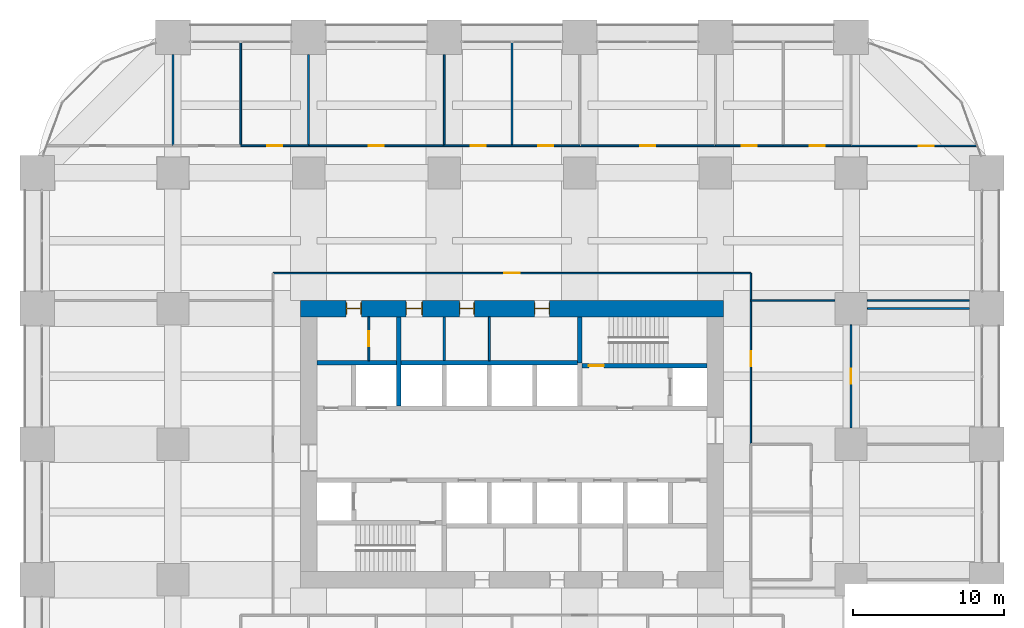
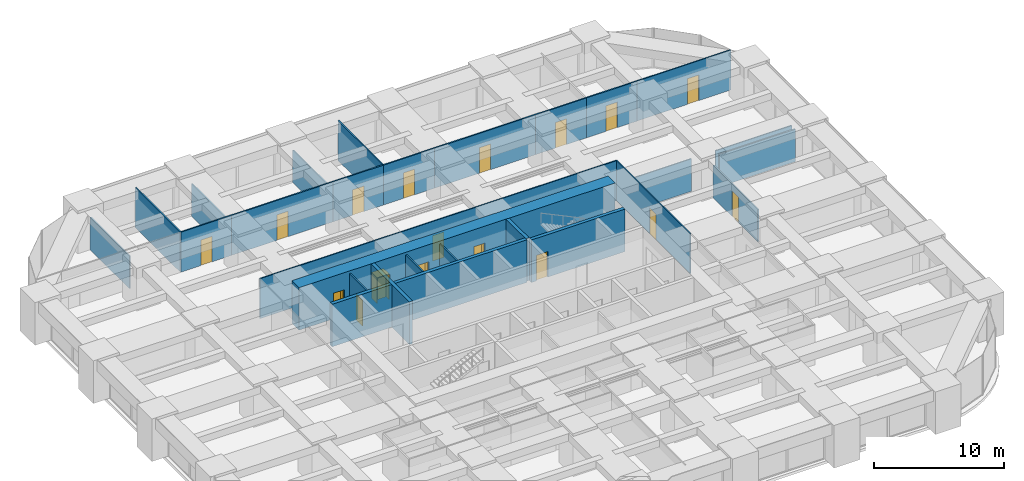
# One storey, part 41 of 43: 27 walls, 17 doors, 17 openings.
"""IFC4 building model written with IfcOpenShell, lengths in metres."""

import ifcopenshell
import ifcopenshell.guid

model = None  # the IFC model being written
_history = None  # IfcOwnerHistory: only IFC2X3 demands one
_inside = {}  # id of a spatial element -> (the spatial element, [elements in it])
_under = {}  # id of a project, library or spatial element -> (it, [spatial elements below it])
_declared = {}  # id of a project -> (the project, [libraries it declares])
_typed = {}  # id of a type object -> (the type object, [elements of that type])
_made_of = {}  # id of a material, layer set ... -> (it, [elements and type objects made of it])


def new_model(schema):
    """Start an empty IFC model of exactly this schema.

    Asked for "IFC4X3", IfcOpenShell would pick the latest addendum, in which some entities
    have other attributes; the version numbers below select the first issue.
    IFC2X3 requires an IfcOwnerHistory on every rooted entity: one is made here for all.
    """
    global model, _history
    if schema == "IFC4X3":
        model = ifcopenshell.file(schema_version=(4, 3, 0, 0))
    else:
        model = ifcopenshell.file(schema=schema)
    _inside.clear()
    _under.clear()
    _declared.clear()
    _typed.clear()
    _made_of.clear()
    _history = None
    if model.schema == "IFC2X3":
        org = make("IfcOrganization", Name="unknown")
        user = make(
            "IfcPersonAndOrganization",
            ThePerson=make("IfcPerson", FamilyName="unknown"),
            TheOrganization=org,
        )
        app = make(
            "IfcApplication",
            ApplicationDeveloper=org,
            Version="unknown",
            ApplicationFullName="unknown",
            ApplicationIdentifier="unknown",
        )
        _history = make(
            "IfcOwnerHistory",
            OwningUser=user,
            OwningApplication=app,
            ChangeAction="ADDED",
            CreationDate=0,
        )
    return model


def make(cls, **values):
    """One entity of the class cls with the attributes given. An attribute that is None is left unset."""
    return model.create_entity(
        cls, **{name: value for name, value in values.items() if value is not None}
    )


def rooted(cls, **values):
    """An entity with a GlobalId (a new one), such as an element, a storey or a relation."""
    return make(cls, GlobalId=ifcopenshell.guid.new(), OwnerHistory=_history, **values)


def si_unit(unit_type, name, prefix=None):
    """IfcSIUnit, for example si_unit("LENGTHUNIT", "METRE", prefix="MILLI")."""
    return make("IfcSIUnit", UnitType=unit_type, Prefix=prefix, Name=name)


def assignment(units):
    """IfcUnitAssignment: the units of a project."""
    return None if units is None else make("IfcUnitAssignment", Units=units)


def point(xyz):
    """IfcCartesianPoint."""
    return None if xyz is None else make("IfcCartesianPoint", Coordinates=xyz)


def direction(xyz):
    """IfcDirection."""
    return None if xyz is None else make("IfcDirection", DirectionRatios=xyz)


def frame(location, z_axis=None, x_axis=None):
    """IfcAxis2Placement3D, a coordinate frame: its origin and axes. An axis left out is left unset."""
    return make(
        "IfcAxis2Placement3D",
        Location=point(location),
        Axis=direction(z_axis),
        RefDirection=direction(x_axis),
    )


def frame_2d(location, x_axis=None):
    """IfcAxis2Placement2D, a coordinate frame in the plane: its origin and x axis."""
    return make(
        "IfcAxis2Placement2D", Location=point(location), RefDirection=direction(x_axis)
    )


def origin():
    """The frame at (0, 0, 0) with its axes left unset."""
    return frame((0.0, 0.0, 0.0))


def place(relative_to, where):
    """IfcLocalPlacement: puts the frame where relative to a parent placement (None: the world)."""
    return make(
        "IfcLocalPlacement", PlacementRelTo=relative_to, RelativePlacement=where
    )


def context(
    kind, dimensions, precision=None, world=None, true_north=None, identifier=None
):
    """IfcGeometricRepresentationContext, for example the 3D "Model" context."""
    return make(
        "IfcGeometricRepresentationContext",
        ContextIdentifier=identifier,
        ContextType=kind,
        CoordinateSpaceDimension=dimensions,
        Precision=precision,
        WorldCoordinateSystem=world,
        TrueNorth=true_north,
    )


def subcontext(parent, identifier, kind, view, scale=None):
    """IfcGeometricRepresentationSubContext, for example "Body" below "Model"."""
    return make(
        "IfcGeometricRepresentationSubContext",
        ContextIdentifier=identifier,
        ContextType=kind,
        ParentContext=parent,
        TargetScale=scale,
        TargetView=view,
    )


def project(units=None, contexts=None):
    """IfcProject with its units and contexts."""
    return rooted(
        "IfcProject",
        Name="project",
        RepresentationContexts=contexts,
        UnitsInContext=assignment(units),
    )


def spatial(cls, under=None, at=None, **own):
    """A site, building, storey or space (cls), placed at a placement, below another one or the project."""
    s = rooted(cls, ObjectPlacement=at, **own)
    if under is not None:
        _under.setdefault(under.id(), (under, []))[1].append(s)
    return s


def profile(cls, at=None, kind="AREA", **sizes):
    """A parametric profile (cls). Its sizes go by their IFC names, for example OverallWidth=200.0."""
    return make(cls, ProfileType=kind, Position=at, **sizes)


def rectangle(**sizes):
    """IfcRectangleProfileDef."""
    return profile("IfcRectangleProfileDef", **sizes)


def extrude(swept, where, along, depth):
    """IfcExtrudedAreaSolid: the profile swept, set in the frame where, extruded along a direction by depth."""
    return make(
        "IfcExtrudedAreaSolid",
        SweptArea=swept,
        Position=where,
        ExtrudedDirection=direction(along),
        Depth=depth,
    )


def shape(context_of_items, identifier, shape_type, items):
    """IfcShapeRepresentation: the items that make up one representation, for example the "Body"."""
    return make(
        "IfcShapeRepresentation",
        ContextOfItems=context_of_items,
        RepresentationIdentifier=identifier,
        RepresentationType=shape_type,
        Items=items,
    )


def material(Name=None, Category=None):
    """IfcMaterial."""
    return make("IfcMaterial", Name=Name, Category=Category)


def layer(
    of_material, thickness, ventilated=None, Name=None, Category=None, Priority=None
):
    """IfcMaterialLayer: one layer of a wall or slab, of a material (None: an air gap)."""
    return make(
        "IfcMaterialLayer",
        Material=of_material,
        LayerThickness=thickness,
        IsVentilated=ventilated,
        Name=Name,
        Category=Category,
        Priority=Priority,
    )


def layer_set(layers, Name=None):
    """IfcMaterialLayerSet."""
    return make("IfcMaterialLayerSet", MaterialLayers=layers, LayerSetName=Name)


def made_of(thing, what):
    """Note that an element or type object is made of a material, layer set ...; save() writes the relation."""
    if what is not None:
        _made_of.setdefault(what.id(), (what, []))[1].append(thing)
    return thing


def type_object(cls, material=None, **own):
    """A type object (cls), such as IfcWallType, which elements share."""
    return made_of(rooted(cls, **own), material)


def element(
    cls,
    number,
    at=None,
    inside=None,
    cuts=None,
    type_object=None,
    material=None,
    context=None,
    identifier="Body",
    shape_type=None,
    held_by="IfcProductDefinitionShape",
    body=None,
    shapes=None,
    **own,
):
    """One element of the class cls, such as IfcWall. Its Tag is "e" and its number.

    at: its placement. inside: the storey or other place that contains it. cuts: it is an
    opening in that element (IfcRelVoidsElement). A single representation is given by context,
    identifier, shape_type and body (its items); several are given by shapes. held_by: the class
    of the entity that holds the representations. save() writes the other relations.
    """
    e = rooted(cls, Tag="e%d" % number, ObjectPlacement=at, **own)
    if body is not None:
        shapes = [shape(context, identifier, shape_type, body)]
    if shapes is not None:
        e.Representation = make(held_by, Representations=shapes)
    if inside is not None:
        _inside.setdefault(inside.id(), (inside, []))[1].append(e)
    if cuts is not None:
        rooted(
            "IfcRelVoidsElement", RelatingBuildingElement=cuts, RelatedOpeningElement=e
        )
    if type_object is not None:
        _typed.setdefault(type_object.id(), (type_object, []))[1].append(e)
    return made_of(e, material)


def fill(opening, filler):
    """IfcRelFillsElement: the door or window that sits in an opening."""
    return rooted(
        "IfcRelFillsElement",
        RelatingOpeningElement=opening,
        RelatedBuildingElement=filler,
    )


def aggregate(whole, parts):
    """IfcRelAggregates: a whole, such as a stair, and the parts it consists of."""
    return rooted("IfcRelAggregates", RelatingObject=whole, RelatedObjects=parts)


def save(model, path):
    """Write the relations noted so far, then the file.

    IfcRelAggregates (storeys below a building ...), IfcRelContainedInSpatialStructure (elements
    in a storey), IfcRelDefinesByType, IfcRelAssociatesMaterial and IfcRelDeclares: one each for
    every whole, place, type object, material and project.
    """
    for whole, parts in _under.values():
        aggregate(whole, parts)
    for where, things in _inside.values():
        rooted(
            "IfcRelContainedInSpatialStructure",
            RelatedElements=things,
            RelatingStructure=where,
        )
    for kind, things in _typed.values():
        rooted("IfcRelDefinesByType", RelatedObjects=things, RelatingType=kind)
    for what, things in _made_of.values():
        rooted("IfcRelAssociatesMaterial", RelatedObjects=things, RelatingMaterial=what)
    for by, libraries in _declared.values():
        rooted("IfcRelDeclares", RelatingContext=by, RelatedDefinitions=libraries)
    model.write(path)


model = new_model("IFC4")

# Units and contexts
model_context = context("Model", 3, precision=1e-05, world=origin(), true_north=direction((0.0, 1.0)))
body_context = subcontext(model_context, "Body", "Model", "MODEL_VIEW")
ifc_project = project(units=[si_unit("LENGTHUNIT", "METRE"), si_unit("AREAUNIT", "SQUARE_METRE"), si_unit("VOLUMEUNIT", "CUBIC_METRE"), si_unit("PLANEANGLEUNIT", "RADIAN"), si_unit("MASSUNIT", "GRAM", prefix="KILO")], contexts=[model_context])

# Site, building, storey
site_placement = place(None, origin())
site = spatial("IfcSite", under=ifc_project, at=site_placement, CompositionType="ELEMENT")
building_placement = place(site_placement, origin())
building = spatial("IfcBuilding", under=site, at=building_placement, Name="Zorevar Civic Tower", CompositionType="ELEMENT")
storey_placement = place(building_placement, frame((0.0, 0.0, 67.800048828125)))
storey = spatial("IfcBuildingStorey", under=building, at=storey_placement, Name="L16", CompositionType="ELEMENT", Elevation=67.800048828125)

# Wall, openings, doors
ifc_material_1 = material(Name="Concrete C50/60", Category="concrete")
ifc_layer_1 = layer(ifc_material_1, 1.10009765625)
ifc_layer_set_1 = layer_set([ifc_layer_1], Name="Core wall 1100")
wall_type_1 = type_object("IfcWallType", Name="Core wall 1100", PredefinedType="SHEAR", material=ifc_layer_set_1)
wall_1_placement = place(storey_placement, frame((45.550048828125, 36.0, 0.0), z_axis=(0.0, 0.0, 1.0), x_axis=(-1.0, 0.0, 0.0)))
wall_1 = element("IfcWall", 1, at=wall_1_placement, inside=storey, type_object=wall_type_1, Name="Core wall N L16", PredefinedType="SHEAR", context=body_context, shape_type="SweptSolid", body=[
    extrude(rectangle(XDim=28.10009765625, YDim=1.10009765625, at=frame_2d((14.050048828125, 0.0))), origin(), (0.0, 0.0, 1.0), 4.0),
])
opening_1_placement = place(wall_1_placement, frame((11.550048828125, 0.0, 0.0)))
opening_1 = element("IfcOpeningElement", 2, at=opening_1_placement, cuts=wall_1, Name="Opening L16.07", PredefinedType="OPENING", context=body_context, shape_type="SweptSolid", body=[
    extrude(rectangle(XDim=1.0, YDim=2.39990234375, at=frame_2d((0.5, 1.199951171875))), frame((0.0, 0.56005859375, 0.0), z_axis=(0.0, -1.0, 0.0), x_axis=(1.0, 0.0, 0.0)), (0.0, 0.0, 1.0), 1.1201171875),
])
opening_2_placement = place(wall_1_placement, frame((16.550048828125, 0.0, 0.0)))
opening_2 = element("IfcOpeningElement", 3, at=opening_2_placement, cuts=wall_1, Name="Opening L16.08", PredefinedType="OPENING", context=body_context, shape_type="SweptSolid", body=[
    extrude(rectangle(XDim=1.0, YDim=2.39990234375, at=frame_2d((0.5, 1.199951171875))), frame((0.0, 0.56005859375, 0.0), z_axis=(0.0, -1.0, 0.0), x_axis=(1.0, 0.0, 0.0)), (0.0, 0.0, 1.0), 1.1201171875),
])
opening_3_placement = place(wall_1_placement, frame((20.0, 0.0, 0.0)))
opening_3 = element("IfcOpeningElement", 4, at=opening_3_placement, cuts=wall_1, Name="Opening L16.09", PredefinedType="OPENING", context=body_context, shape_type="SweptSolid", body=[
    extrude(rectangle(XDim=1.10009765625, YDim=2.39990234375, at=frame_2d((0.550048828125, 1.199951171875))), frame((0.0, 0.56005859375, 0.0), z_axis=(0.0, -1.0, 0.0), x_axis=(1.0, 0.0, 0.0)), (0.0, 0.0, 1.0), 1.1201171875),
])
opening_4_placement = place(wall_1_placement, frame((24.050048828125, 0.0, 0.0)))
opening_4 = element("IfcOpeningElement", 5, at=opening_4_placement, cuts=wall_1, Name="Opening L16.10", PredefinedType="OPENING", context=body_context, shape_type="SweptSolid", body=[
    extrude(rectangle(XDim=1.0, YDim=2.39990234375, at=frame_2d((0.5, 1.199951171875))), frame((0.0, 0.56005859375, 0.0), z_axis=(0.0, -1.0, 0.0), x_axis=(1.0, 0.0, 0.0)), (0.0, 0.0, 1.0), 1.1201171875),
])
ifc_material_2 = material(Name="Timber door set", Category="wood")
door_type_1 = type_object("IfcDoorType", Name="Door D1 1000x2400", OperationType="SINGLE_SWING_LEFT", PredefinedType="DOOR", material=ifc_material_2)
door_1_placement = place(opening_1_placement, origin())
door_1 = element("IfcDoor", 6, at=door_1_placement, inside=storey, type_object=door_type_1, Name="Door L16 06", OperationType="SINGLE_SWING_RIGHT", OverallHeight=2.39990234375, OverallWidth=1.0, PredefinedType="DOOR", context=body_context, shape_type="SweptSolid", body=[
    extrude(rectangle(XDim=1.0, YDim=2.39990234375, at=frame_2d((0.5, 1.199951171875))), frame((0.0, 0.02490234375, 0.0), z_axis=(0.0, -1.0, 0.0), x_axis=(1.0, 0.0, 0.0)), (0.0, 0.0, 1.0), 0.050048828125),
    extrude(rectangle(XDim=0.04, YDim=2.39990234375, at=frame_2d((0.02001953125, 1.199951171875))), frame((0.0, 0.39990234375, 0.0), z_axis=(0.0, -1.0, 0.0), x_axis=(1.0, 0.0, 0.0)), (0.0, 0.0, 1.0), 0.800048828125),
    extrude(rectangle(XDim=0.04, YDim=2.39990234375, at=frame_2d((0.97998046875, 1.199951171875))), frame((0.0, 0.39990234375, 0.0), z_axis=(0.0, -1.0, 0.0), x_axis=(1.0, 0.0, 0.0)), (0.0, 0.0, 1.0), 0.800048828125),
    extrude(rectangle(XDim=1.0, YDim=0.04, at=frame_2d((0.5, 2.3798828125))), frame((0.0, 0.39990234375, 0.0), z_axis=(0.0, -1.0, 0.0), x_axis=(1.0, 0.0, 0.0)), (0.0, 0.0, 1.0), 0.800048828125),
])
fill(opening_1, door_1)
door_2_placement = place(opening_2_placement, origin())
door_2 = element("IfcDoor", 7, at=door_2_placement, inside=storey, type_object=door_type_1, Name="Door L16 07", OperationType="SINGLE_SWING_LEFT", OverallHeight=2.39990234375, OverallWidth=1.0, PredefinedType="DOOR", context=body_context, shape_type="SweptSolid", body=[
    extrude(rectangle(XDim=1.0, YDim=2.39990234375, at=frame_2d((0.5, 1.199951171875))), frame((0.0, 0.02490234375, 0.0), z_axis=(0.0, -1.0, 0.0), x_axis=(1.0, 0.0, 0.0)), (0.0, 0.0, 1.0), 0.050048828125),
    extrude(rectangle(XDim=0.04, YDim=2.39990234375, at=frame_2d((0.02001953125, 1.199951171875))), frame((0.0, 0.39990234375, 0.0), z_axis=(0.0, -1.0, 0.0), x_axis=(1.0, 0.0, 0.0)), (0.0, 0.0, 1.0), 0.800048828125),
    extrude(rectangle(XDim=0.04, YDim=2.39990234375, at=frame_2d((0.97998046875, 1.199951171875))), frame((0.0, 0.39990234375, 0.0), z_axis=(0.0, -1.0, 0.0), x_axis=(1.0, 0.0, 0.0)), (0.0, 0.0, 1.0), 0.800048828125),
    extrude(rectangle(XDim=1.0, YDim=0.04, at=frame_2d((0.5, 2.3798828125))), frame((0.0, 0.39990234375, 0.0), z_axis=(0.0, -1.0, 0.0), x_axis=(1.0, 0.0, 0.0)), (0.0, 0.0, 1.0), 0.800048828125),
])
fill(opening_2, door_2)
door_3_placement = place(opening_4_placement, origin())
door_3 = element("IfcDoor", 8, at=door_3_placement, inside=storey, type_object=door_type_1, Name="Door L16 09", OperationType="SINGLE_SWING_LEFT", OverallHeight=2.39990234375, OverallWidth=1.0, PredefinedType="DOOR", context=body_context, shape_type="SweptSolid", body=[
    extrude(rectangle(XDim=1.0, YDim=2.39990234375, at=frame_2d((0.5, 1.199951171875))), frame((0.0, 0.02490234375, 0.0), z_axis=(0.0, -1.0, 0.0), x_axis=(1.0, 0.0, 0.0)), (0.0, 0.0, 1.0), 0.050048828125),
    extrude(rectangle(XDim=0.04, YDim=2.39990234375, at=frame_2d((0.02001953125, 1.199951171875))), frame((0.0, 0.39990234375, 0.0), z_axis=(0.0, -1.0, 0.0), x_axis=(1.0, 0.0, 0.0)), (0.0, 0.0, 1.0), 0.800048828125),
    extrude(rectangle(XDim=0.04, YDim=2.39990234375, at=frame_2d((0.97998046875, 1.199951171875))), frame((0.0, 0.39990234375, 0.0), z_axis=(0.0, -1.0, 0.0), x_axis=(1.0, 0.0, 0.0)), (0.0, 0.0, 1.0), 0.800048828125),
    extrude(rectangle(XDim=1.0, YDim=0.04, at=frame_2d((0.5, 2.3798828125))), frame((0.0, 0.39990234375, 0.0), z_axis=(0.0, -1.0, 0.0), x_axis=(1.0, 0.0, 0.0)), (0.0, 0.0, 1.0), 0.800048828125),
])
fill(opening_4, door_3)
ifc_material_3 = material(Name="Timber door set", Category="wood")
door_type_2 = type_object("IfcDoorType", Name="Door D5 1100x2400", OperationType="SINGLE_SWING_LEFT", PredefinedType="DOOR", material=ifc_material_3)
door_4_placement = place(opening_3_placement, origin())
door_4 = element("IfcDoor", 9, at=door_4_placement, inside=storey, type_object=door_type_2, Name="Door L16 08", OperationType="SINGLE_SWING_LEFT", OverallHeight=2.39990234375, OverallWidth=1.10009765625, PredefinedType="DOOR", context=body_context, shape_type="SweptSolid", body=[
    extrude(rectangle(XDim=1.10009765625, YDim=2.39990234375, at=frame_2d((0.550048828125, 1.199951171875))), frame((0.0, 0.02490234375, 0.0), z_axis=(0.0, -1.0, 0.0), x_axis=(1.0, 0.0, 0.0)), (0.0, 0.0, 1.0), 0.050048828125),
    extrude(rectangle(XDim=0.04, YDim=2.39990234375, at=frame_2d((0.02001953125, 1.199951171875))), frame((0.0, 0.43994140625, 0.0), z_axis=(0.0, -1.0, 0.0), x_axis=(1.0, 0.0, 0.0)), (0.0, 0.0, 1.0), 0.880126953125),
    extrude(rectangle(XDim=0.04, YDim=2.39990234375, at=frame_2d((1.080078125, 1.199951171875))), frame((0.0, 0.43994140625, 0.0), z_axis=(0.0, -1.0, 0.0), x_axis=(1.0, 0.0, 0.0)), (0.0, 0.0, 1.0), 0.880126953125),
    extrude(rectangle(XDim=1.10009765625, YDim=0.04, at=frame_2d((0.550048828125, 2.3798828125))), frame((0.0, 0.43994140625, 0.0), z_axis=(0.0, -1.0, 0.0), x_axis=(1.0, 0.0, 0.0)), (0.0, 0.0, 1.0), 0.880126953125),
])
fill(opening_3, door_4)

# Walls
ifc_material_4 = material(Name="Laminated glass in black aluminium frame", Category="aluminium")
ifc_layer_2 = layer(ifc_material_4, 0.10009765625)
ifc_layer_set_2 = layer_set([ifc_layer_2], Name="Glazed partition 100")
wall_type_2 = type_object("IfcWallType", Name="Glazed partition 100", PredefinedType="PARTITIONING", material=ifc_layer_set_2)
wall_2_placement = place(storey_placement, frame((47.35009765625, 36.550048828125, 0.0), z_axis=(0.0, 0.0, 1.0), x_axis=(1.0, 0.0, 0.0)))
element("IfcWall", 10, at=wall_2_placement, inside=storey, type_object=wall_type_2, Name="Glazed partition 100 L16", PredefinedType="PARTITIONING", context=body_context, shape_type="SweptSolid", body=[
    extrude(rectangle(XDim=5.574951171875, YDim=0.10009765625, at=frame_2d((2.78759765625, 0.0))), origin(), (0.0, 0.0, 1.0), 3.050048828125),
])
wall_3_placement = place(storey_placement, frame((55.074951171875, 36.550048828125, 0.0), z_axis=(0.0, 0.0, 1.0), x_axis=(1.0, 0.0, 0.0)))
element("IfcWall", 11, at=wall_3_placement, inside=storey, type_object=wall_type_2, Name="Glazed partition 100 L16", PredefinedType="PARTITIONING", context=body_context, shape_type="SweptSolid", body=[
    extrude(rectangle(XDim=6.775146484375, YDim=0.10009765625, at=frame_2d((3.3876953125, 0.0))), origin(), (0.0, 0.0, 1.0), 3.050048828125),
])

# Wall, opening, door
wall_4_placement = place(storey_placement, frame((15.64990234375, 38.35009765625, 0.0), z_axis=(0.0, 0.0, 1.0), x_axis=(1.0, 0.0, 0.0)))
wall_4 = element("IfcWall", 12, at=wall_4_placement, inside=storey, type_object=wall_type_2, Name="Glazed partition 100 L16", PredefinedType="PARTITIONING", context=body_context, shape_type="SweptSolid", body=[
    extrude(rectangle(XDim=31.7001953125, YDim=0.10009765625, at=frame_2d((15.85009765625, 0.0))), origin(), (0.0, 0.0, 1.0), 3.75),
])
opening_5_placement = place(wall_4_placement, frame((15.35009765625, 0.0, 0.0)))
opening_5 = element("IfcOpeningElement", 13, at=opening_5_placement, cuts=wall_4, Name="Opening L16.22", PredefinedType="OPENING", context=body_context, shape_type="SweptSolid", body=[
    extrude(rectangle(XDim=1.0, YDim=2.39990234375, at=frame_2d((0.5, 1.199951171875))), frame((0.0, 0.06005859375, 0.0), z_axis=(0.0, -1.0, 0.0), x_axis=(1.0, 0.0, 0.0)), (0.0, 0.0, 1.0), 0.1201171875),
])
ifc_material_5 = material(Name="Timber door set", Category="wood")
door_type_3 = type_object("IfcDoorType", Name="Glazed door GD1 1000x2400", OperationType="SINGLE_SWING_LEFT", PredefinedType="DOOR", material=ifc_material_5)
door_5_placement = place(opening_5_placement, origin())
door_5 = element("IfcDoor", 14, at=door_5_placement, inside=storey, type_object=door_type_3, Name="Door L16 D1", OperationType="SINGLE_SWING_LEFT", OverallHeight=2.39990234375, OverallWidth=1.0, PredefinedType="DOOR", context=body_context, shape_type="SweptSolid", body=[
    extrude(rectangle(XDim=1.0, YDim=2.39990234375, at=frame_2d((0.5, 1.199951171875))), frame((0.0, 0.02001953125, 0.0), z_axis=(0.0, -1.0, 0.0), x_axis=(1.0, 0.0, 0.0)), (0.0, 0.0, 1.0), 0.0400390625),
])
fill(opening_5, door_5)

wall_5_placement = place(storey_placement, frame((54.0, 46.800048828125, 0.0), z_axis=(0.0, 0.0, 1.0), x_axis=(1.0, 0.0, 0.0)))
wall_5 = element("IfcWall", 15, at=wall_5_placement, inside=storey, type_object=wall_type_2, Name="Glazed partition 100 L16", PredefinedType="PARTITIONING", context=body_context, shape_type="SweptSolid", body=[
    extrude(rectangle(XDim=8.350830078125, YDim=0.10009765625, at=frame_2d((4.17529296875, 0.0))), origin(), (0.0, 0.0, 1.0), 3.75),
])
opening_6_placement = place(wall_5_placement, frame((4.5, 0.0, 0.0)))
opening_6 = element("IfcOpeningElement", 16, at=opening_6_placement, cuts=wall_5, Name="Opening L16.32", PredefinedType="OPENING", context=body_context, shape_type="SweptSolid", body=[
    extrude(rectangle(XDim=1.0, YDim=2.39990234375, at=frame_2d((0.5, 1.199951171875))), frame((0.0, 0.06005859375, 0.0), z_axis=(0.0, -1.0, 0.0), x_axis=(1.0, 0.0, 0.0)), (0.0, 0.0, 1.0), 0.1201171875),
])
door_6_placement = place(opening_6_placement, origin())
door_6 = element("IfcDoor", 17, at=door_6_placement, inside=storey, type_object=door_type_3, Name="Door L16 D1", OperationType="SINGLE_SWING_RIGHT", OverallHeight=2.39990234375, OverallWidth=1.0, PredefinedType="DOOR", context=body_context, shape_type="SweptSolid", body=[
    extrude(rectangle(XDim=1.0, YDim=2.39990234375, at=frame_2d((0.5, 1.199951171875))), frame((0.0, 0.02001953125, 0.0), z_axis=(0.0, -1.0, 0.0), x_axis=(1.0, 0.0, 0.0)), (0.0, 0.0, 1.0), 0.0400390625),
])
fill(opening_6, door_6)

wall_6_placement = place(storey_placement, frame((47.35009765625, 27.0, 0.0), z_axis=(0.0, 0.0, 1.0), x_axis=(0.0, 1.0, 0.0)))
wall_6 = element("IfcWall", 18, at=wall_6_placement, inside=storey, type_object=wall_type_2, Name="Glazed partition 100 L16", PredefinedType="PARTITIONING", context=body_context, shape_type="SweptSolid", body=[
    extrude(rectangle(XDim=11.35009765625, YDim=0.10009765625, at=frame_2d((5.675048828125, 0.0))), origin(), (0.0, 0.0, 1.0), 3.75),
])
opening_7_placement = place(wall_6_placement, frame((5.175048828125, 0.0, 0.0)))
opening_7 = element("IfcOpeningElement", 19, at=opening_7_placement, cuts=wall_6, Name="Opening L16.34", PredefinedType="OPENING", context=body_context, shape_type="SweptSolid", body=[
    extrude(rectangle(XDim=1.0, YDim=2.39990234375, at=frame_2d((0.5, 1.199951171875))), frame((0.0, 0.06005859375, 0.0), z_axis=(0.0, -1.0, 0.0), x_axis=(1.0, 0.0, 0.0)), (0.0, 0.0, 1.0), 0.1201171875),
])
door_7_placement = place(opening_7_placement, origin())
door_7 = element("IfcDoor", 20, at=door_7_placement, inside=storey, type_object=door_type_3, Name="Door L16 D1", OperationType="SINGLE_SWING_RIGHT", OverallHeight=2.39990234375, OverallWidth=1.0, PredefinedType="DOOR", context=body_context, shape_type="SweptSolid", body=[
    extrude(rectangle(XDim=1.0, YDim=2.39990234375, at=frame_2d((0.5, 1.199951171875))), frame((0.0, 0.02001953125, 0.0), z_axis=(0.0, -1.0, 0.0), x_axis=(1.0, 0.0, 0.0)), (0.0, 0.0, 1.0), 0.0400390625),
])
fill(opening_7, door_7)

ifc_material_6 = material(Name="Concrete C40/50", Category="concrete")
ifc_layer_3 = layer(ifc_material_6, 0.300048828125)
ifc_layer_set_3 = layer_set([ifc_layer_3], Name="Inner core wall 300")
wall_type_3 = type_object("IfcWallType", Name="Inner core wall 300", PredefinedType="SHEAR", material=ifc_layer_set_3)
wall_7_placement = place(storey_placement, frame((36.14990234375, 32.199951171875, 0.0), z_axis=(0.0, 0.0, 1.0), x_axis=(1.0, 0.0, 0.0)))
wall_7 = element("IfcWall", 21, at=wall_7_placement, inside=storey, type_object=wall_type_3, Name="Inner core wall N00 L16", PredefinedType="SHEAR", context=body_context, shape_type="SweptSolid", body=[
    extrude(rectangle(XDim=8.300048828125, YDim=0.300048828125, at=frame_2d((4.14990234375, 0.0))), origin(), (0.0, 0.0, 1.0), 4.0),
])
opening_8_placement = place(wall_7_placement, frame((0.449951171875, 0.0, 0.0)))
opening_8 = element("IfcOpeningElement", 22, at=opening_8_placement, cuts=wall_7, Name="Opening L16.12", PredefinedType="OPENING", context=body_context, shape_type="SweptSolid", body=[
    extrude(rectangle(XDim=1.0, YDim=2.39990234375, at=frame_2d((0.5, 1.199951171875))), frame((0.0, 0.159912109375, 0.0), z_axis=(0.0, -1.0, 0.0), x_axis=(1.0, 0.0, 0.0)), (0.0, 0.0, 1.0), 0.320068359375),
])
ifc_material_7 = material(Name="Steel door set", Category="steel")
door_type_4 = type_object("IfcDoorType", Name="Fire door FD1 1000x2400", OperationType="SINGLE_SWING_LEFT", PredefinedType="DOOR", material=ifc_material_7)
door_8_placement = place(opening_8_placement, origin())
door_8 = element("IfcDoor", 23, at=door_8_placement, inside=storey, type_object=door_type_4, Name="Door L16 11", OperationType="SINGLE_SWING_RIGHT", OverallHeight=2.39990234375, OverallWidth=1.0, PredefinedType="DOOR", context=body_context, shape_type="SweptSolid", body=[
    extrude(rectangle(XDim=1.0, YDim=2.39990234375, at=frame_2d((0.5, 1.199951171875))), frame((0.0, 0.030029296875, 0.0), z_axis=(0.0, -1.0, 0.0), x_axis=(1.0, 0.0, 0.0)), (0.0, 0.0, 1.0), 0.06005859375),
])
fill(opening_8, door_8)

# Walls
wall_8_placement = place(storey_placement, frame((36.0, 32.39990234375, 0.0), z_axis=(0.0, 0.0, 1.0), x_axis=(0.0, 1.0, 0.0)))
element("IfcWall", 24, at=wall_8_placement, inside=storey, type_object=wall_type_3, Name="Inner core wall N01 L16", PredefinedType="SHEAR", context=body_context, shape_type="SweptSolid", body=[
    extrude(rectangle(XDim=3.050048828125, YDim=0.300048828125, at=frame_2d((1.52490234375, 0.0))), origin(), (0.0, 0.0, 1.0), 4.0),
])
wall_9_placement = place(storey_placement, frame((18.550048828125, 32.39990234375, 0.0), z_axis=(0.0, 0.0, 1.0), x_axis=(1.0, 0.0, 0.0)))
element("IfcWall", 25, at=wall_9_placement, inside=storey, type_object=wall_type_3, Name="Inner core wall N04 L16", PredefinedType="SHEAR", context=body_context, shape_type="SweptSolid", body=[
    extrude(rectangle(XDim=17.300048828125, YDim=0.300048828125, at=frame_2d((8.64990234375, 0.0))), origin(), (0.0, 0.0, 1.0), 4.0),
])
wall_10_placement = place(storey_placement, frame((24.0, 29.550048828125, 0.0), z_axis=(0.0, 0.0, 1.0), x_axis=(0.0, 1.0, 0.0)))
element("IfcWall", 26, at=wall_10_placement, inside=storey, type_object=wall_type_3, Name="Inner core wall N08 L16", PredefinedType="SHEAR", context=body_context, shape_type="SweptSolid", body=[
    extrude(rectangle(XDim=5.89990234375, YDim=0.300048828125, at=frame_2d((2.949951171875, 0.0))), origin(), (0.0, 0.0, 1.0), 4.0),
])
ifc_material_8 = material(Name="Gypsum board on steel studs", Category="steel")
ifc_layer_4 = layer(ifc_material_8, 0.1201171875)
ifc_layer_set_4 = layer_set([ifc_layer_4], Name="Partition 120")
wall_type_4 = type_object("IfcWallType", Name="Partition 120", PredefinedType="PARTITIONING", material=ifc_layer_set_4)
wall_11_placement = place(storey_placement, frame((55.074951171875, 36.0, 0.0), z_axis=(0.0, 0.0, 1.0), x_axis=(1.0, 0.0, 0.0)))
element("IfcWall", 27, at=wall_11_placement, inside=storey, type_object=wall_type_4, Name="Partition 120 L16", PredefinedType="PARTITIONING", context=body_context, shape_type="SweptSolid", body=[
    extrude(rectangle(XDim=6.775146484375, YDim=0.1201171875, at=frame_2d((3.3876953125, 0.0))), origin(), (0.0, 0.0, 1.0), 3.050048828125),
])

# Wall, opening, door
wall_12_placement = place(storey_placement, frame((13.5, 46.800048828125, 0.0), z_axis=(0.0, 0.0, 1.0), x_axis=(1.0, 0.0, 0.0)))
wall_12 = element("IfcWall", 28, at=wall_12_placement, inside=storey, type_object=wall_type_4, Name="Partition 120 L16", PredefinedType="PARTITIONING", context=body_context, shape_type="SweptSolid", body=[
    extrude(rectangle(XDim=4.5, YDim=0.1201171875, at=frame_2d((2.25, 0.0))), origin(), (0.0, 0.0, 1.0), 3.75),
])
opening_9_placement = place(wall_12_placement, frame((1.75, 0.0, 0.0)))
opening_9 = element("IfcOpeningElement", 29, at=opening_9_placement, cuts=wall_12, Name="Opening L16.24", PredefinedType="OPENING", context=body_context, shape_type="SweptSolid", body=[
    extrude(rectangle(XDim=1.0, YDim=2.39990234375, at=frame_2d((0.5, 1.199951171875))), frame((0.0, 0.070068359375, 0.0), z_axis=(0.0, -1.0, 0.0), x_axis=(1.0, 0.0, 0.0)), (0.0, 0.0, 1.0), 0.14013671875),
])
door_9_placement = place(opening_9_placement, origin())
door_9 = element("IfcDoor", 30, at=door_9_placement, inside=storey, type_object=door_type_1, Name="Door L16 D1", OperationType="SINGLE_SWING_LEFT", OverallHeight=2.39990234375, OverallWidth=1.0, PredefinedType="DOOR", context=body_context, shape_type="SweptSolid", body=[
    extrude(rectangle(XDim=1.0, YDim=2.39990234375, at=frame_2d((0.5, 1.199951171875))), frame((0.0, 0.02490234375, 0.0), z_axis=(0.0, -1.0, 0.0), x_axis=(1.0, 0.0, 0.0)), (0.0, 0.0, 1.0), 0.050048828125),
])
fill(opening_9, door_9)

wall_13_placement = place(storey_placement, frame((18.0, 46.800048828125, 0.0), z_axis=(0.0, 0.0, 1.0), x_axis=(1.0, 0.0, 0.0)))
wall_13 = element("IfcWall", 31, at=wall_13_placement, inside=storey, type_object=wall_type_4, Name="Partition 120 L16", PredefinedType="PARTITIONING", context=body_context, shape_type="SweptSolid", body=[
    extrude(rectangle(XDim=9.0, YDim=0.1201171875, at=frame_2d((4.5, 0.0))), origin(), (0.0, 0.0, 1.0), 3.75),
])
opening_10_placement = place(wall_13_placement, frame((4.0, 0.0, 0.0)))
opening_10 = element("IfcOpeningElement", 32, at=opening_10_placement, cuts=wall_13, Name="Opening L16.25", PredefinedType="OPENING", context=body_context, shape_type="SweptSolid", body=[
    extrude(rectangle(XDim=1.0, YDim=2.39990234375, at=frame_2d((0.5, 1.199951171875))), frame((0.0, 0.070068359375, 0.0), z_axis=(0.0, -1.0, 0.0), x_axis=(1.0, 0.0, 0.0)), (0.0, 0.0, 1.0), 0.14013671875),
])
door_10_placement = place(opening_10_placement, origin())
door_10 = element("IfcDoor", 33, at=door_10_placement, inside=storey, type_object=door_type_1, Name="Door L16 D1", OperationType="SINGLE_SWING_LEFT", OverallHeight=2.39990234375, OverallWidth=1.0, PredefinedType="DOOR", context=body_context, shape_type="SweptSolid", body=[
    extrude(rectangle(XDim=1.0, YDim=2.39990234375, at=frame_2d((0.5, 1.199951171875))), frame((0.0, 0.02490234375, 0.0), z_axis=(0.0, -1.0, 0.0), x_axis=(1.0, 0.0, 0.0)), (0.0, 0.0, 1.0), 0.050048828125),
])
fill(opening_10, door_10)

wall_14_placement = place(storey_placement, frame((27.0, 46.800048828125, 0.0), z_axis=(0.0, 0.0, 1.0), x_axis=(1.0, 0.0, 0.0)))
wall_14 = element("IfcWall", 34, at=wall_14_placement, inside=storey, type_object=wall_type_4, Name="Partition 120 L16", PredefinedType="PARTITIONING", context=body_context, shape_type="SweptSolid", body=[
    extrude(rectangle(XDim=4.5, YDim=0.1201171875, at=frame_2d((2.25, 0.0))), origin(), (0.0, 0.0, 1.0), 3.75),
])
opening_11_placement = place(wall_14_placement, frame((1.75, 0.0, 0.0)))
opening_11 = element("IfcOpeningElement", 35, at=opening_11_placement, cuts=wall_14, Name="Opening L16.26", PredefinedType="OPENING", context=body_context, shape_type="SweptSolid", body=[
    extrude(rectangle(XDim=1.0, YDim=2.39990234375, at=frame_2d((0.5, 1.199951171875))), frame((0.0, 0.070068359375, 0.0), z_axis=(0.0, -1.0, 0.0), x_axis=(1.0, 0.0, 0.0)), (0.0, 0.0, 1.0), 0.14013671875),
])
door_11_placement = place(opening_11_placement, origin())
door_11 = element("IfcDoor", 36, at=door_11_placement, inside=storey, type_object=door_type_1, Name="Door L16 D1", OperationType="SINGLE_SWING_LEFT", OverallHeight=2.39990234375, OverallWidth=1.0, PredefinedType="DOOR", context=body_context, shape_type="SweptSolid", body=[
    extrude(rectangle(XDim=1.0, YDim=2.39990234375, at=frame_2d((0.5, 1.199951171875))), frame((0.0, 0.02490234375, 0.0), z_axis=(0.0, -1.0, 0.0), x_axis=(1.0, 0.0, 0.0)), (0.0, 0.0, 1.0), 0.050048828125),
])
fill(opening_11, door_11)

wall_15_placement = place(storey_placement, frame((31.5, 46.800048828125, 0.0), z_axis=(0.0, 0.0, 1.0), x_axis=(1.0, 0.0, 0.0)))
wall_15 = element("IfcWall", 37, at=wall_15_placement, inside=storey, type_object=wall_type_4, Name="Partition 120 L16", PredefinedType="PARTITIONING", context=body_context, shape_type="SweptSolid", body=[
    extrude(rectangle(XDim=4.5, YDim=0.1201171875, at=frame_2d((2.25, 0.0))), origin(), (0.0, 0.0, 1.0), 3.75),
])
opening_12_placement = place(wall_15_placement, frame((1.75, 0.0, 0.0)))
opening_12 = element("IfcOpeningElement", 38, at=opening_12_placement, cuts=wall_15, Name="Opening L16.27", PredefinedType="OPENING", context=body_context, shape_type="SweptSolid", body=[
    extrude(rectangle(XDim=1.0, YDim=2.39990234375, at=frame_2d((0.5, 1.199951171875))), frame((0.0, 0.070068359375, 0.0), z_axis=(0.0, -1.0, 0.0), x_axis=(1.0, 0.0, 0.0)), (0.0, 0.0, 1.0), 0.14013671875),
])
door_12_placement = place(opening_12_placement, origin())
door_12 = element("IfcDoor", 39, at=door_12_placement, inside=storey, type_object=door_type_1, Name="Door L16 D1", OperationType="SINGLE_SWING_RIGHT", OverallHeight=2.39990234375, OverallWidth=1.0, PredefinedType="DOOR", context=body_context, shape_type="SweptSolid", body=[
    extrude(rectangle(XDim=1.0, YDim=2.39990234375, at=frame_2d((0.5, 1.199951171875))), frame((0.0, 0.02490234375, 0.0), z_axis=(0.0, -1.0, 0.0), x_axis=(1.0, 0.0, 0.0)), (0.0, 0.0, 1.0), 0.050048828125),
])
fill(opening_12, door_12)

wall_16_placement = place(storey_placement, frame((36.0, 46.800048828125, 0.0), z_axis=(0.0, 0.0, 1.0), x_axis=(1.0, 0.0, 0.0)))
wall_16 = element("IfcWall", 40, at=wall_16_placement, inside=storey, type_object=wall_type_4, Name="Partition 120 L16", PredefinedType="PARTITIONING", context=body_context, shape_type="SweptSolid", body=[
    extrude(rectangle(XDim=9.0, YDim=0.1201171875, at=frame_2d((4.5, 0.0))), origin(), (0.0, 0.0, 1.0), 3.75),
])
opening_13_placement = place(wall_16_placement, frame((4.0, 0.0, 0.0)))
opening_13 = element("IfcOpeningElement", 41, at=opening_13_placement, cuts=wall_16, Name="Opening L16.28", PredefinedType="OPENING", context=body_context, shape_type="SweptSolid", body=[
    extrude(rectangle(XDim=1.0, YDim=2.39990234375, at=frame_2d((0.5, 1.199951171875))), frame((0.0, 0.070068359375, 0.0), z_axis=(0.0, -1.0, 0.0), x_axis=(1.0, 0.0, 0.0)), (0.0, 0.0, 1.0), 0.14013671875),
])
door_13_placement = place(opening_13_placement, origin())
door_13 = element("IfcDoor", 42, at=door_13_placement, inside=storey, type_object=door_type_1, Name="Door L16 D1", OperationType="SINGLE_SWING_RIGHT", OverallHeight=2.39990234375, OverallWidth=1.0, PredefinedType="DOOR", context=body_context, shape_type="SweptSolid", body=[
    extrude(rectangle(XDim=1.0, YDim=2.39990234375, at=frame_2d((0.5, 1.199951171875))), frame((0.0, 0.02490234375, 0.0), z_axis=(0.0, -1.0, 0.0), x_axis=(1.0, 0.0, 0.0)), (0.0, 0.0, 1.0), 0.050048828125),
])
fill(opening_13, door_13)

wall_17_placement = place(storey_placement, frame((45.0, 46.800048828125, 0.0), z_axis=(0.0, 0.0, 1.0), x_axis=(1.0, 0.0, 0.0)))
wall_17 = element("IfcWall", 43, at=wall_17_placement, inside=storey, type_object=wall_type_4, Name="Partition 120 L16", PredefinedType="PARTITIONING", context=body_context, shape_type="SweptSolid", body=[
    extrude(rectangle(XDim=4.5, YDim=0.1201171875, at=frame_2d((2.25, 0.0))), origin(), (0.0, 0.0, 1.0), 3.75),
])
opening_14_placement = place(wall_17_placement, frame((1.75, 0.0, 0.0)))
opening_14 = element("IfcOpeningElement", 44, at=opening_14_placement, cuts=wall_17, Name="Opening L16.29", PredefinedType="OPENING", context=body_context, shape_type="SweptSolid", body=[
    extrude(rectangle(XDim=1.0, YDim=2.39990234375, at=frame_2d((0.5, 1.199951171875))), frame((0.0, 0.070068359375, 0.0), z_axis=(0.0, -1.0, 0.0), x_axis=(1.0, 0.0, 0.0)), (0.0, 0.0, 1.0), 0.14013671875),
])
door_14_placement = place(opening_14_placement, origin())
door_14 = element("IfcDoor", 45, at=door_14_placement, inside=storey, type_object=door_type_1, Name="Door L16 D1", OperationType="SINGLE_SWING_RIGHT", OverallHeight=2.39990234375, OverallWidth=1.0, PredefinedType="DOOR", context=body_context, shape_type="SweptSolid", body=[
    extrude(rectangle(XDim=1.0, YDim=2.39990234375, at=frame_2d((0.5, 1.199951171875))), frame((0.0, 0.02490234375, 0.0), z_axis=(0.0, -1.0, 0.0), x_axis=(1.0, 0.0, 0.0)), (0.0, 0.0, 1.0), 0.050048828125),
])
fill(opening_14, door_14)

wall_18_placement = place(storey_placement, frame((49.5, 46.800048828125, 0.0), z_axis=(0.0, 0.0, 1.0), x_axis=(1.0, 0.0, 0.0)))
wall_18 = element("IfcWall", 46, at=wall_18_placement, inside=storey, type_object=wall_type_4, Name="Partition 120 L16", PredefinedType="PARTITIONING", context=body_context, shape_type="SweptSolid", body=[
    extrude(rectangle(XDim=4.5, YDim=0.1201171875, at=frame_2d((2.25, 0.0))), origin(), (0.0, 0.0, 1.0), 3.75),
])
opening_15_placement = place(wall_18_placement, frame((1.75, 0.0, 0.0)))
opening_15 = element("IfcOpeningElement", 47, at=opening_15_placement, cuts=wall_18, Name="Opening L16.30", PredefinedType="OPENING", context=body_context, shape_type="SweptSolid", body=[
    extrude(rectangle(XDim=1.0, YDim=2.39990234375, at=frame_2d((0.5, 1.199951171875))), frame((0.0, 0.070068359375, 0.0), z_axis=(0.0, -1.0, 0.0), x_axis=(1.0, 0.0, 0.0)), (0.0, 0.0, 1.0), 0.14013671875),
])
door_15_placement = place(opening_15_placement, origin())
door_15 = element("IfcDoor", 48, at=door_15_placement, inside=storey, type_object=door_type_1, Name="Door L16 D1", OperationType="SINGLE_SWING_RIGHT", OverallHeight=2.39990234375, OverallWidth=1.0, PredefinedType="DOOR", context=body_context, shape_type="SweptSolid", body=[
    extrude(rectangle(XDim=1.0, YDim=2.39990234375, at=frame_2d((0.5, 1.199951171875))), frame((0.0, 0.02490234375, 0.0), z_axis=(0.0, -1.0, 0.0), x_axis=(1.0, 0.0, 0.0)), (0.0, 0.0, 1.0), 0.050048828125),
])
fill(opening_15, door_15)

# Walls
wall_19_placement = place(storey_placement, frame((9.0, 46.800048828125, 0.0), z_axis=(0.0, 0.0, 1.0), x_axis=(0.0, 1.0, 0.0)))
element("IfcWall", 49, at=wall_19_placement, inside=storey, type_object=wall_type_4, Name="Partition 120 L16", PredefinedType="PARTITIONING", context=body_context, shape_type="SweptSolid", body=[
    extrude(rectangle(XDim=6.050048828125, YDim=0.1201171875, at=frame_2d((3.02490234375, 0.0))), origin(), (0.0, 0.0, 1.0), 3.050048828125),
])
wall_20_placement = place(storey_placement, frame((13.5, 46.800048828125, 0.0), z_axis=(0.0, 0.0, 1.0), x_axis=(0.0, 1.0, 0.0)))
element("IfcWall", 50, at=wall_20_placement, inside=storey, type_object=wall_type_4, Name="Partition 120 L16", PredefinedType="PARTITIONING", context=body_context, shape_type="SweptSolid", body=[
    extrude(rectangle(XDim=6.889892578125, YDim=0.1201171875, at=frame_2d((3.44482421875, 0.0))), origin(), (0.0, 0.0, 1.0), 3.75),
])
for number, where, z_axis, x_axis, name in (
    (51, (18.0, 46.800048828125, 0.0), (0.0, 0.0, 1.0), (0.0, 1.0, 0.0), "Partition 120 L16"),
    (52, (27.0, 46.800048828125, 0.0), (0.0, 0.0, 1.0), (0.0, 1.0, 0.0), "Partition 120 L16"),
):
    element("IfcWall", number, at=place(storey_placement, frame(where, z_axis=z_axis, x_axis=x_axis)), inside=storey, type_object=wall_type_4, Name=name, PredefinedType="PARTITIONING", context=body_context, shape_type="SweptSolid", body=[
        extrude(rectangle(XDim=6.050048828125, YDim=0.1201171875, at=frame_2d((3.02490234375, 0.0))), origin(), (0.0, 0.0, 1.0), 3.050048828125),
    ])
wall_21_placement = place(storey_placement, frame((31.5, 46.800048828125, 0.0), z_axis=(0.0, 0.0, 1.0), x_axis=(0.0, 1.0, 0.0)))
element("IfcWall", 53, at=wall_21_placement, inside=storey, type_object=wall_type_4, Name="Partition 120 L16", PredefinedType="PARTITIONING", context=body_context, shape_type="SweptSolid", body=[
    extrude(rectangle(XDim=6.889892578125, YDim=0.1201171875, at=frame_2d((3.44482421875, 0.0))), origin(), (0.0, 0.0, 1.0), 3.75),
])

# Wall, opening, door
wall_22_placement = place(storey_placement, frame((54.0, 28.074951171875, 0.0), z_axis=(0.0, 0.0, 1.0), x_axis=(0.0, 1.0, 0.0)))
wall_22 = element("IfcWall", 54, at=wall_22_placement, inside=storey, type_object=wall_type_4, Name="Partition 120 L16", PredefinedType="PARTITIONING", context=body_context, shape_type="SweptSolid", body=[
    extrude(rectangle(XDim=6.85009765625, YDim=0.1201171875, at=frame_2d((3.425048828125, 0.0))), origin(), (0.0, 0.0, 1.0), 3.050048828125),
])
opening_16_placement = place(wall_22_placement, frame((2.925048828125, 0.0, 0.0)))
opening_16 = element("IfcOpeningElement", 55, at=opening_16_placement, cuts=wall_22, Name="Opening L16.38", PredefinedType="OPENING", context=body_context, shape_type="SweptSolid", body=[
    extrude(rectangle(XDim=1.0, YDim=2.39990234375, at=frame_2d((0.5, 1.199951171875))), frame((0.0, 0.070068359375, 0.0), z_axis=(0.0, -1.0, 0.0), x_axis=(1.0, 0.0, 0.0)), (0.0, 0.0, 1.0), 0.14013671875),
])
door_16_placement = place(opening_16_placement, origin())
door_16 = element("IfcDoor", 56, at=door_16_placement, inside=storey, type_object=door_type_1, Name="Door L16 D1", OperationType="SINGLE_SWING_LEFT", OverallHeight=2.39990234375, OverallWidth=1.0, PredefinedType="DOOR", context=body_context, shape_type="SweptSolid", body=[
    extrude(rectangle(XDim=1.0, YDim=2.39990234375, at=frame_2d((0.5, 1.199951171875))), frame((0.0, 0.02490234375, 0.0), z_axis=(0.0, -1.0, 0.0), x_axis=(1.0, 0.0, 0.0)), (0.0, 0.0, 1.0), 0.050048828125),
])
fill(opening_16, door_16)

# Wall
wall_23_placement = place(storey_placement, frame((30.0, 32.550048828125, 0.0), z_axis=(0.0, 0.0, 1.0), x_axis=(0.0, 1.0, 0.0)))
element("IfcWall", 57, at=wall_23_placement, inside=storey, type_object=wall_type_4, Name="Partition L16", PredefinedType="PARTITIONING", context=body_context, shape_type="SweptSolid", body=[
    extrude(rectangle(XDim=2.89990234375, YDim=0.1201171875, at=frame_2d((1.449951171875, 0.0))), origin(), (0.0, 0.0, 1.0), 3.75),
])

# Wall, opening, door
wall_24_placement = place(storey_placement, frame((22.0, 32.550048828125, 0.0), z_axis=(0.0, 0.0, 1.0), x_axis=(0.0, 1.0, 0.0)))
wall_24 = element("IfcWall", 58, at=wall_24_placement, inside=storey, type_object=wall_type_4, Name="Partition L16", PredefinedType="PARTITIONING", context=body_context, shape_type="SweptSolid", body=[
    extrude(rectangle(XDim=2.89990234375, YDim=0.1201171875, at=frame_2d((1.449951171875, 0.0))), origin(), (0.0, 0.0, 1.0), 3.75),
])
opening_17_placement = place(wall_24_placement, frame((0.949951171875, 0.0, 0.0)))
opening_17 = element("IfcOpeningElement", 59, at=opening_17_placement, cuts=wall_24, Name="Opening L16.39", PredefinedType="OPENING", context=body_context, shape_type="SweptSolid", body=[
    extrude(rectangle(XDim=1.0, YDim=2.39990234375, at=frame_2d((0.5, 1.199951171875))), frame((0.0, 0.070068359375, 0.0), z_axis=(0.0, -1.0, 0.0), x_axis=(1.0, 0.0, 0.0)), (0.0, 0.0, 1.0), 0.14013671875),
])
door_17_placement = place(opening_17_placement, origin())
door_17 = element("IfcDoor", 60, at=door_17_placement, inside=storey, type_object=door_type_4, Name="Door L16 EN", OperationType="SINGLE_SWING_RIGHT", OverallHeight=2.39990234375, OverallWidth=1.0, PredefinedType="DOOR", context=body_context, shape_type="SweptSolid", body=[
    extrude(rectangle(XDim=1.0, YDim=2.39990234375, at=frame_2d((0.5, 1.199951171875))), frame((0.0, 0.030029296875, 0.0), z_axis=(0.0, -1.0, 0.0), x_axis=(1.0, 0.0, 0.0)), (0.0, 0.0, 1.0), 0.06005859375),
])
fill(opening_17, door_17)

# Wall
ifc_material_9 = material(Name="Gypsum board on steel studs, moisture resistant", Category="steel")
ifc_layer_5 = layer(ifc_material_9, 0.14990234375)
ifc_layer_set_5 = layer_set([ifc_layer_5], Name="WC partition 150")
wall_type_5 = type_object("IfcWallType", Name="WC partition 150", PredefinedType="PARTITIONING", material=ifc_layer_set_5)
wall_25_placement = place(storey_placement, frame((27.0, 32.550048828125, 0.0), z_axis=(0.0, 0.0, 1.0), x_axis=(0.0, 1.0, 0.0)))
element("IfcWall", 61, at=wall_25_placement, inside=storey, type_object=wall_type_5, Name="WC partition L16", PredefinedType="PARTITIONING", context=body_context, shape_type="SweptSolid", body=[
    extrude(rectangle(XDim=2.89990234375, YDim=0.14990234375, at=frame_2d((1.449951171875, 0.0))), origin(), (0.0, 0.0, 1.0), 3.75),
])

save(model, "model.ifc")
